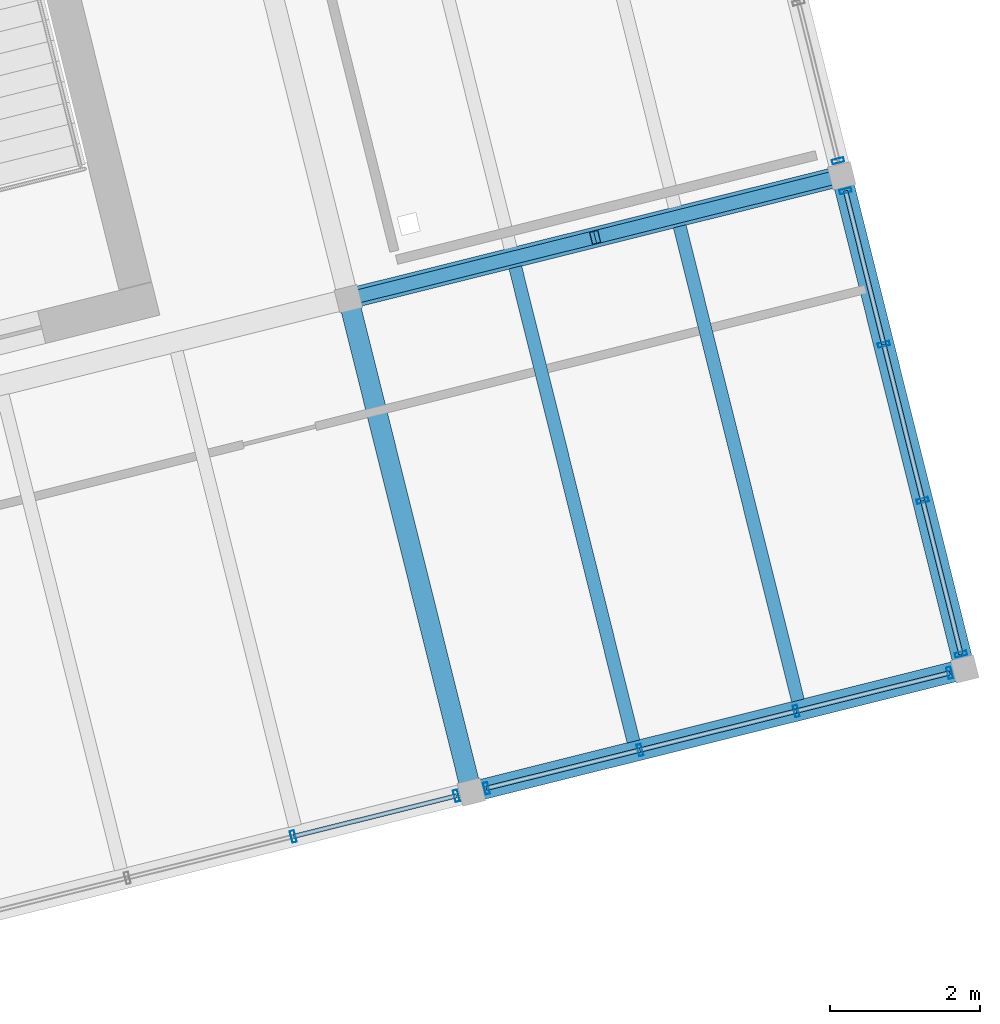
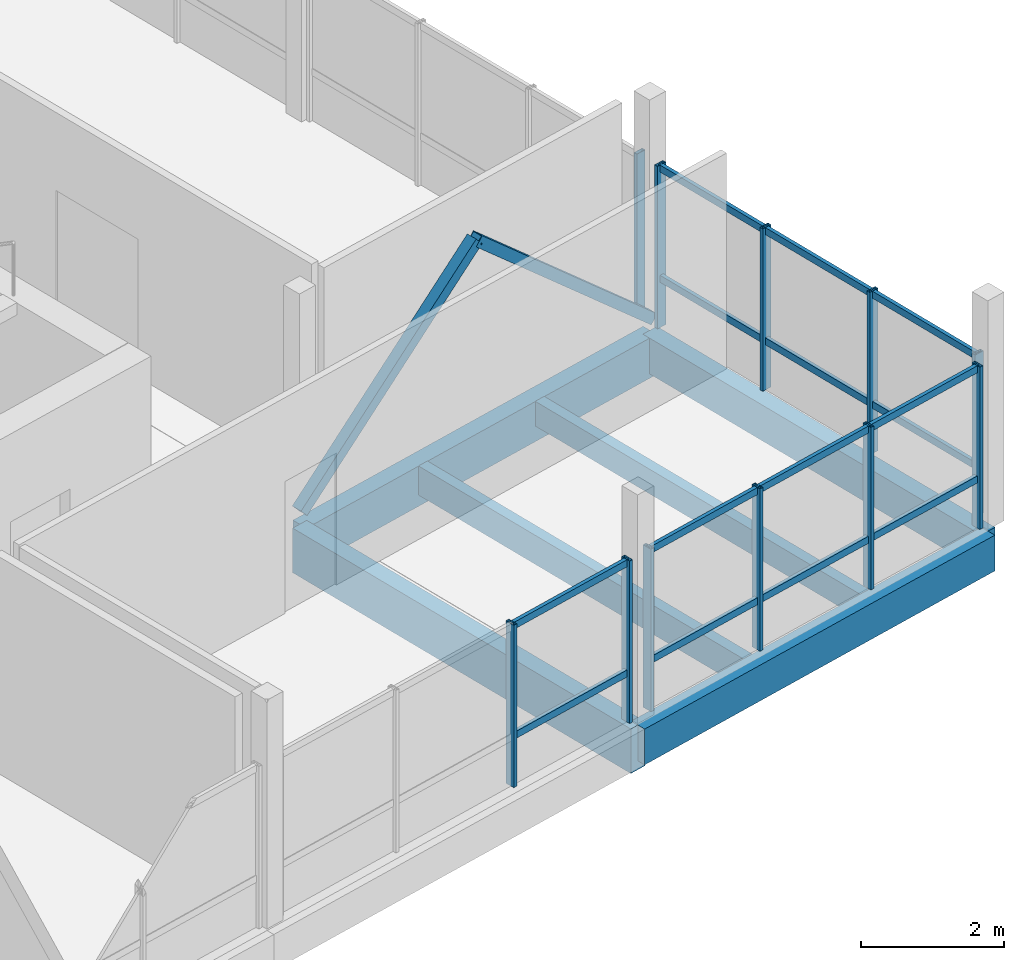
# One storey, part 16 of 25: 27 members, 6 beams, 4 elements without a shape of their own.
"""IFC4 building model written with IfcOpenShell, lengths in metres."""

from ifc_helpers import new_model, si_unit, direction, frame, origin, origin_2d, place, context, subcontext, project, spatial, rectangle, hollow_rectangle, extrude, material, layer, layer_set, material_profile, profile_set, type_object, element, aggregate, save


model = new_model("IFC4")

# Units and contexts
model_context = context("Model", 3, precision=1e-05, world=origin(), true_north=direction((0.0, 1.0)))
body_context = subcontext(model_context, "Body", "Model", "MODEL_VIEW")
ifc_project = project(units=[si_unit("LENGTHUNIT", "METRE"), si_unit("AREAUNIT", "SQUARE_METRE"), si_unit("VOLUMEUNIT", "CUBIC_METRE"), si_unit("PLANEANGLEUNIT", "RADIAN"), si_unit("MASSUNIT", "GRAM", prefix="KILO")], contexts=[model_context])

# Site, building, storey
site_placement = place(None, origin())
site = spatial("IfcSite", under=ifc_project, at=site_placement, CompositionType="ELEMENT")
building_placement = place(site_placement, origin())
building = spatial("IfcBuilding", under=site, at=building_placement, Name="Meriwether Solvik Hall", CompositionType="ELEMENT")
storey_placement = place(building_placement, frame((0.0, 0.0, 53.39990234375)))
storey = spatial("IfcBuildingStorey", under=building, at=storey_placement, Name="L13", CompositionType="ELEMENT", Elevation=53.39990234375)

# Beams
ifc_material_1 = material(Name="Glulam Douglas-Fir 24F-V8 GL28h", Category="wood")
ifc_material_profile_1 = material_profile(ifc_material_1, rectangle(XDim=0.27294921875, YDim=0.610107421875, at=origin_2d()), Name="GLB-273X610")
ifc_profile_set_1 = profile_set([ifc_material_profile_1], Name="Glulam Douglas-Fir 24F-V8 GL28h")
beam_type_1 = type_object("IfcBeamType", Name="BM-GL-273X610", PredefinedType="SPANDREL", material=ifc_profile_set_1)
for number, where, z_axis, x_axis, name in (
    (1, (96.9326171875, 48.26416015625, -0.48486328125), (0.970298579828, 0.24191045034, 0.0), (-0.24191045034, 0.970298579828, 0.0), "Tower Girder TA:T5-T6 (L13)"),
    (2, (103.53076171875, 49.9091796875, -0.48486328125), (-0.2419526798, 0.970288050394, 0.0), (-0.970288050394, -0.2419526798, 0.0), "Tower Girder T6:TA-TB (L13)"),
):
    element("IfcBeam", number, at=place(storey_placement, frame(where, z_axis=z_axis, x_axis=x_axis)), inside=storey, type_object=beam_type_1, Name=name, PredefinedType="SPANDREL", context=body_context, shape_type="SweptSolid", body=[
        extrude(rectangle(XDim=0.27294921875, YDim=0.610107421875, at=origin_2d()), origin(), (0.0, 0.0, 1.0), 6.800048828125),
    ])
ifc_material_2 = material(Name="Glulam Douglas-Fir 24F-V8 GL28h", Category="wood")
ifc_material_profile_2 = material_profile(ifc_material_2, rectangle(XDim=0.27294921875, YDim=0.68505859375, at=origin_2d()), Name="GLB-273X685")
ifc_profile_set_2 = profile_set([ifc_material_profile_2], Name="Glulam Douglas-Fir 24F-V8 GL28h")
beam_type_2 = type_object("IfcBeamType", Name="BM-GL-273X685", PredefinedType="BEAM", material=ifc_profile_set_2)
beam_1_placement = place(storey_placement, frame((95.28759765625, 54.862060546875, -0.5224609375), z_axis=(0.970296478685, 0.241918877831, 0.0), x_axis=(-0.241918877831, 0.970296478685, 0.0)))
element("IfcBeam", 3, at=beam_1_placement, inside=storey, type_object=beam_type_2, Name="Tower Girder TB:T5-T6 (L13)", PredefinedType="BEAM", context=body_context, shape_type="SweptSolid", body=[
    extrude(rectangle(XDim=0.27294921875, YDim=0.68505859375, at=origin_2d()), origin(), (0.0, 0.0, 1.0), 6.7998046875),
])
ifc_material_3 = material(Name="Glulam Douglas-Fir 24F-V8 GL28h", Category="wood")
ifc_material_profile_3 = material_profile(ifc_material_3, rectangle(XDim=0.27294921875, YDim=0.760009765625, at=origin_2d()), Name="GLB-273X760")
ifc_profile_set_3 = profile_set([ifc_material_profile_3], Name="Glulam Douglas-Fir 24F-V8 GL28h")
beam_type_3 = type_object("IfcBeamType", Name="BM-GL-273X760", PredefinedType="BEAM", material=ifc_profile_set_3)
beam_2_placement = place(storey_placement, frame((96.9326171875, 48.26416015625, -0.559814453125), z_axis=(-0.241918877831, 0.970296478685, 0.0), x_axis=(-0.970296478685, -0.241918877831, 0.0)))
element("IfcBeam", 4, at=beam_2_placement, inside=storey, type_object=beam_type_3, Name="Tower Girder T5:TA-TB (L13)", PredefinedType="BEAM", context=body_context, shape_type="SweptSolid", body=[
    extrude(rectangle(XDim=0.27294921875, YDim=0.760009765625, at=origin_2d()), origin(), (0.0, 0.0, 1.0), 6.7998046875),
])

# Curtain wall, members
ifc_material_4 = material(Name="Thermally Broken Anodised Aluminium 6063-T6 and Low-E Glass", Category="aluminium")
ifc_layer_1 = layer(ifc_material_4, 0.179931640625)
ifc_layer_set_1 = layer_set([ifc_layer_1], Name="Thermally Broken Anodised Aluminium 6063-T6 and Low-E Glass")
curtain_wall_type_1 = type_object("IfcCurtainWallType", Name="CW-UNIT-G", PredefinedType="USERDEFINED", material=ifc_layer_set_1)
curtain_wall_1_placement = place(storey_placement, origin())
curtain_wall_1 = element("IfcCurtainWall", 5, at=curtain_wall_1_placement, inside=storey, type_object=curtain_wall_type_1, Name="Curtain Wall E0_B3 (L13)", ObjectType="UNITISED CURTAIN WALL", PredefinedType="USERDEFINED")
ifc_material_5 = material(Name="Anodised Aluminium 6063-T6", Category="aluminium")
ifc_material_profile_4 = material_profile(ifc_material_5, hollow_rectangle(XDim=0.06005859375, YDim=0.159912109375, WallThickness=0.00390625, at=origin_2d()), Name="CWM-60X160")
ifc_profile_set_4 = profile_set([ifc_material_profile_4], Name="Anodised Aluminium 6063-T6")
member_type_1 = type_object("IfcMemberType", Name="CW-MUL-60X160", PredefinedType="MULLION", material=ifc_profile_set_4)
member_1_placement = place(storey_placement, frame((96.731201171875, 48.2138671875, 0.0), z_axis=(0.0, 0.0, 1.0), x_axis=(-0.970295696551, -0.241922014821, 0.0)))
member_1 = element("IfcMember", 6, at=member_1_placement, type_object=member_type_1, Name="Curtain Wall Mullion 1", PredefinedType="MULLION", context=body_context, shape_type="SweptSolid", body=[
    extrude(hollow_rectangle(XDim=0.06005859375, YDim=0.159912109375, WallThickness=0.00390625, at=origin_2d()), origin(), (0.0, 0.0, 1.0), 2.77001953125),
])
member_2_placement = place(storey_placement, frame((94.549072265625, 47.669921875, 0.0), z_axis=(0.0, 0.0, 1.0), x_axis=(-0.970295696551, -0.241922014821, 0.0)))
member_2 = element("IfcMember", 7, at=member_2_placement, type_object=member_type_1, Name="Curtain Wall Mullion 2", PredefinedType="MULLION", context=body_context, shape_type="SweptSolid", body=[
    extrude(hollow_rectangle(XDim=0.06005859375, YDim=0.159912109375, WallThickness=0.00390625, at=origin_2d()), origin(), (0.0, 0.0, 1.0), 2.77001953125),
])

ifc_material_6 = material(Name="Thermally Broken Anodised Aluminium 6063-T6 and Low-E Glass", Category="aluminium")
ifc_layer_2 = layer(ifc_material_6, 0.179931640625)
ifc_layer_set_2 = layer_set([ifc_layer_2], Name="Thermally Broken Anodised Aluminium 6063-T6 and Low-E Glass")
curtain_wall_type_2 = type_object("IfcCurtainWallType", Name="CW-UNIT-A", PredefinedType="USERDEFINED", material=ifc_layer_set_2)
curtain_wall_2_placement = place(storey_placement, origin())
curtain_wall_2 = element("IfcCurtainWall", 8, at=curtain_wall_2_placement, inside=storey, type_object=curtain_wall_type_2, Name="Curtain Wall E0_B4 (L13)", ObjectType="UNITISED CURTAIN WALL", PredefinedType="USERDEFINED")
member_3_placement = place(storey_placement, frame((103.329345703125, 49.85888671875, 0.0), z_axis=(0.0, 0.0, 1.0), x_axis=(-0.970295742456, -0.241921830705, 0.0)))
member_3 = element("IfcMember", 9, at=member_3_placement, type_object=member_type_1, Name="Curtain Wall Mullion 1", PredefinedType="MULLION", context=body_context, shape_type="SweptSolid", body=[
    extrude(hollow_rectangle(XDim=0.06005859375, YDim=0.159912109375, WallThickness=0.00390625, at=origin_2d()), origin(), (0.0, 0.0, 1.0), 2.77001953125),
])
member_4_placement = place(storey_placement, frame((101.276611328125, 49.34716796875, 0.0), z_axis=(0.0, 0.0, 1.0), x_axis=(-0.970295742456, -0.241921830705, 0.0)))
member_4 = element("IfcMember", 10, at=member_4_placement, type_object=member_type_1, Name="Curtain Wall Mullion 2", PredefinedType="MULLION", context=body_context, shape_type="SweptSolid", body=[
    extrude(hollow_rectangle(XDim=0.06005859375, YDim=0.159912109375, WallThickness=0.00390625, at=origin_2d()), origin(), (0.0, 0.0, 1.0), 2.77001953125),
])
member_5_placement = place(storey_placement, frame((99.186767578125, 48.826171875, 0.0), z_axis=(0.0, 0.0, 1.0), x_axis=(-0.970295742456, -0.241921830705, 0.0)))
member_5 = element("IfcMember", 11, at=member_5_placement, type_object=member_type_1, Name="Curtain Wall Mullion 3", PredefinedType="MULLION", context=body_context, shape_type="SweptSolid", body=[
    extrude(hollow_rectangle(XDim=0.06005859375, YDim=0.159912109375, WallThickness=0.00390625, at=origin_2d()), origin(), (0.0, 0.0, 1.0), 2.77001953125),
])
member_6_placement = place(storey_placement, frame((97.134033203125, 48.314208984375, 0.0), z_axis=(0.0, 0.0, 1.0), x_axis=(-0.970295742456, -0.241921830705, 0.0)))
member_6 = element("IfcMember", 12, at=member_6_placement, type_object=member_type_1, Name="Curtain Wall Mullion 4", PredefinedType="MULLION", context=body_context, shape_type="SweptSolid", body=[
    extrude(hollow_rectangle(XDim=0.06005859375, YDim=0.159912109375, WallThickness=0.00390625, at=origin_2d()), origin(), (0.0, 0.0, 1.0), 2.77001953125),
])

ifc_material_7 = material(Name="Thermally Broken Anodised Aluminium 6063-T6 and Low-E Glass", Category="aluminium")
ifc_layer_3 = layer(ifc_material_7, 0.179931640625)
ifc_layer_set_3 = layer_set([ifc_layer_3], Name="Thermally Broken Anodised Aluminium 6063-T6 and Low-E Glass")
curtain_wall_type_3 = type_object("IfcCurtainWallType", Name="CW-UNIT-E", PredefinedType="USERDEFINED", material=ifc_layer_set_3)
curtain_wall_3_placement = place(storey_placement, origin())
curtain_wall_3 = element("IfcCurtainWall", 13, at=curtain_wall_3_placement, inside=storey, type_object=curtain_wall_type_3, Name="Curtain Wall E1_B0 (L13)", ObjectType="UNITISED CURTAIN WALL", PredefinedType="USERDEFINED")
member_7_placement = place(storey_placement, frame((101.935791015625, 56.305908203125, 0.0), z_axis=(0.0, 0.0, 1.0), x_axis=(0.241921830705, -0.970295742456, 0.0)))
member_7 = element("IfcMember", 14, at=member_7_placement, type_object=member_type_1, Name="Curtain Wall Mullion 1", PredefinedType="MULLION", context=body_context, shape_type="SweptSolid", body=[
    extrude(hollow_rectangle(XDim=0.06005859375, YDim=0.159912109375, WallThickness=0.00390625, at=origin_2d()), origin(), (0.0, 0.0, 1.0), 2.77001953125),
])
member_8_placement = place(storey_placement, frame((102.447509765625, 54.2529296875, 0.0), z_axis=(0.0, 0.0, 1.0), x_axis=(0.241921830705, -0.970295742456, 0.0)))
member_8 = element("IfcMember", 15, at=member_8_placement, type_object=member_type_1, Name="Curtain Wall Mullion 2", PredefinedType="MULLION", context=body_context, shape_type="SweptSolid", body=[
    extrude(hollow_rectangle(XDim=0.06005859375, YDim=0.159912109375, WallThickness=0.00390625, at=origin_2d()), origin(), (0.0, 0.0, 1.0), 2.77001953125),
])
member_9_placement = place(storey_placement, frame((102.968505859375, 52.163330078125, 0.0), z_axis=(0.0, 0.0, 1.0), x_axis=(0.241921830705, -0.970295742456, 0.0)))
member_9 = element("IfcMember", 16, at=member_9_placement, type_object=member_type_1, Name="Curtain Wall Mullion 3", PredefinedType="MULLION", context=body_context, shape_type="SweptSolid", body=[
    extrude(hollow_rectangle(XDim=0.06005859375, YDim=0.159912109375, WallThickness=0.00390625, at=origin_2d()), origin(), (0.0, 0.0, 1.0), 2.77001953125),
])
member_10_placement = place(storey_placement, frame((103.48046875, 50.110595703125, 0.0), z_axis=(0.0, 0.0, 1.0), x_axis=(0.241921830705, -0.970295742456, 0.0)))
member_10 = element("IfcMember", 17, at=member_10_placement, type_object=member_type_1, Name="Curtain Wall Mullion 4", PredefinedType="MULLION", context=body_context, shape_type="SweptSolid", body=[
    extrude(hollow_rectangle(XDim=0.06005859375, YDim=0.159912109375, WallThickness=0.00390625, at=origin_2d()), origin(), (0.0, 0.0, 1.0), 2.77001953125),
])

# Curtain wall, member
ifc_material_8 = material(Name="Thermally Broken Anodised Aluminium 6063-T6 and Low-E Glass", Category="aluminium")
ifc_layer_4 = layer(ifc_material_8, 0.179931640625)
ifc_layer_set_4 = layer_set([ifc_layer_4], Name="Thermally Broken Anodised Aluminium 6063-T6 and Low-E Glass")
curtain_wall_type_4 = type_object("IfcCurtainWallType", Name="CW-UNIT-F", PredefinedType="USERDEFINED", material=ifc_layer_set_4)
curtain_wall_4_placement = place(storey_placement, origin())
curtain_wall_4 = element("IfcCurtainWall", 18, at=curtain_wall_4_placement, inside=storey, type_object=curtain_wall_type_4, Name="Curtain Wall E1_B1 (L13)", ObjectType="UNITISED CURTAIN WALL", PredefinedType="USERDEFINED")
member_11_placement = place(storey_placement, frame((101.83544921875, 56.70849609375, 0.0), z_axis=(0.0, 0.0, 1.0), x_axis=(0.241921784185, -0.970295754055, 0.0)))
member_11 = element("IfcMember", 19, at=member_11_placement, type_object=member_type_1, Name="Curtain Wall Mullion 4", PredefinedType="MULLION", context=body_context, shape_type="SweptSolid", body=[
    extrude(hollow_rectangle(XDim=0.06005859375, YDim=0.159912109375, WallThickness=0.00390625, at=origin_2d()), origin(), (0.0, 0.0, 1.0), 2.77001953125),
])
aggregate(curtain_wall_4, [member_11])

# Member
ifc_material_9 = material(Name="Anodised Aluminium 6063-T6", Category="aluminium")
ifc_material_profile_5 = material_profile(ifc_material_9, hollow_rectangle(XDim=0.06005859375, YDim=0.1201171875, WallThickness=0.00390625, at=origin_2d()), Name="CWT-60X120")
ifc_profile_set_5 = profile_set([ifc_material_profile_5], Name="Anodised Aluminium 6063-T6")
member_type_2 = type_object("IfcMemberType", Name="CW-TRN-60X120", PredefinedType="USERDEFINED", material=ifc_profile_set_5)
member_12_placement = place(storey_placement, frame((96.731201171875, 48.2138671875, 0.8310546875), z_axis=(-0.970308305597, -0.241871437108, 0.0), x_axis=(0.241871437108, -0.970308305597, 0.0)))
member_12 = element("IfcMember", 20, at=member_12_placement, type_object=member_type_2, Name="Curtain Wall Transom 1-sill", ObjectType="TRANSOM", PredefinedType="USERDEFINED", context=body_context, shape_type="SweptSolid", body=[
    extrude(hollow_rectangle(XDim=0.06005859375, YDim=0.1201171875, WallThickness=0.00390625, at=origin_2d()), origin(), (0.0, 0.0, 1.0), 2.2490234375),
])

member_13_placement = place(storey_placement, frame((96.731201171875, 48.2138671875, 2.710205078125), z_axis=(-0.970308305597, -0.241871437108, 0.0), x_axis=(0.241871437108, -0.970308305597, 0.0)))
member_13 = element("IfcMember", 21, at=member_13_placement, type_object=member_type_2, Name="Curtain Wall Transom 1-head", ObjectType="TRANSOM", PredefinedType="USERDEFINED", context=body_context, shape_type="SweptSolid", body=[
    extrude(hollow_rectangle(XDim=0.06005859375, YDim=0.1201171875, WallThickness=0.00390625, at=origin_2d()), origin(), (0.0, 0.0, 1.0), 2.2490234375),
])

aggregate(curtain_wall_1, [member_1, member_2, member_12, member_13])

member_14_placement = place(storey_placement, frame((103.329345703125, 49.85888671875, 0.8310546875), z_axis=(-0.970305202605, -0.24188388495, 0.0), x_axis=(0.24188388495, -0.970305202605, 0.0)))
member_14 = element("IfcMember", 22, at=member_14_placement, type_object=member_type_2, Name="Curtain Wall Transom 1-sill", ObjectType="TRANSOM", PredefinedType="USERDEFINED", context=body_context, shape_type="SweptSolid", body=[
    extrude(hollow_rectangle(XDim=0.06005859375, YDim=0.1201171875, WallThickness=0.00390625, at=origin_2d()), origin(), (0.0, 0.0, 1.0), 2.115478515625),
])

member_15_placement = place(storey_placement, frame((103.329345703125, 49.85888671875, 2.710205078125), z_axis=(-0.970305202605, -0.24188388495, 0.0), x_axis=(0.24188388495, -0.970305202605, 0.0)))
member_15 = element("IfcMember", 23, at=member_15_placement, type_object=member_type_2, Name="Curtain Wall Transom 1-head", ObjectType="TRANSOM", PredefinedType="USERDEFINED", context=body_context, shape_type="SweptSolid", body=[
    extrude(hollow_rectangle(XDim=0.06005859375, YDim=0.1201171875, WallThickness=0.00390625, at=origin_2d()), origin(), (0.0, 0.0, 1.0), 2.115478515625),
])

member_16_placement = place(storey_placement, frame((101.276611328125, 49.34716796875, 0.8310546875), z_axis=(-0.970302316838, -0.241895460763, 0.0), x_axis=(0.241895460763, -0.970302316838, 0.0)))
member_16 = element("IfcMember", 24, at=member_16_placement, type_object=member_type_2, Name="Curtain Wall Transom 2-sill", ObjectType="TRANSOM", PredefinedType="USERDEFINED", context=body_context, shape_type="SweptSolid", body=[
    extrude(hollow_rectangle(XDim=0.06005859375, YDim=0.1201171875, WallThickness=0.00390625, at=origin_2d()), origin(), (0.0, 0.0, 1.0), 2.15380859375),
])

member_17_placement = place(storey_placement, frame((101.276611328125, 49.34716796875, 2.710205078125), z_axis=(-0.970302316838, -0.241895460763, 0.0), x_axis=(0.241895460763, -0.970302316838, 0.0)))
member_17 = element("IfcMember", 25, at=member_17_placement, type_object=member_type_2, Name="Curtain Wall Transom 2-head", ObjectType="TRANSOM", PredefinedType="USERDEFINED", context=body_context, shape_type="SweptSolid", body=[
    extrude(hollow_rectangle(XDim=0.06005859375, YDim=0.1201171875, WallThickness=0.00390625, at=origin_2d()), origin(), (0.0, 0.0, 1.0), 2.15380859375),
])

member_18_placement = place(storey_placement, frame((99.186767578125, 48.826171875, 0.8310546875), z_axis=(-0.970278112146, -0.241992531062, 0.0), x_axis=(0.241992531062, -0.970278112146, 0.0)))
member_18 = element("IfcMember", 26, at=member_18_placement, type_object=member_type_2, Name="Curtain Wall Transom 3-sill", ObjectType="TRANSOM", PredefinedType="USERDEFINED", context=body_context, shape_type="SweptSolid", body=[
    extrude(hollow_rectangle(XDim=0.06005859375, YDim=0.1201171875, WallThickness=0.00390625, at=origin_2d()), origin(), (0.0, 0.0, 1.0), 2.11572265625),
])

member_19_placement = place(storey_placement, frame((99.186767578125, 48.826171875, 2.710205078125), z_axis=(-0.970278112146, -0.241992531062, 0.0), x_axis=(0.241992531062, -0.970278112146, 0.0)))
member_19 = element("IfcMember", 27, at=member_19_placement, type_object=member_type_2, Name="Curtain Wall Transom 3-head", ObjectType="TRANSOM", PredefinedType="USERDEFINED", context=body_context, shape_type="SweptSolid", body=[
    extrude(hollow_rectangle(XDim=0.06005859375, YDim=0.1201171875, WallThickness=0.00390625, at=origin_2d()), origin(), (0.0, 0.0, 1.0), 2.11572265625),
])

aggregate(curtain_wall_2, [member_3, member_4, member_5, member_6, member_14, member_15, member_16, member_17, member_18, member_19])

member_20_placement = place(storey_placement, frame((101.935791015625, 56.305908203125, 0.8310546875), z_axis=(0.241856802757, -0.970311953425, 0.0), x_axis=(0.970311953425, 0.241856802757, 0.0)))
member_20 = element("IfcMember", 28, at=member_20_placement, type_object=member_type_2, Name="Curtain Wall Transom 1-sill", ObjectType="TRANSOM", PredefinedType="USERDEFINED", context=body_context, shape_type="SweptSolid", body=[
    extrude(hollow_rectangle(XDim=0.06005859375, YDim=0.1201171875, WallThickness=0.00390625, at=origin_2d()), origin(), (0.0, 0.0, 1.0), 2.11572265625),
])

member_21_placement = place(storey_placement, frame((101.935791015625, 56.305908203125, 2.710205078125), z_axis=(0.241856802757, -0.970311953425, 0.0), x_axis=(0.970311953425, 0.241856802757, 0.0)))
member_21 = element("IfcMember", 29, at=member_21_placement, type_object=member_type_2, Name="Curtain Wall Transom 1-head", ObjectType="TRANSOM", PredefinedType="USERDEFINED", context=body_context, shape_type="SweptSolid", body=[
    extrude(hollow_rectangle(XDim=0.06005859375, YDim=0.1201171875, WallThickness=0.00390625, at=origin_2d()), origin(), (0.0, 0.0, 1.0), 2.11572265625),
])

member_22_placement = place(storey_placement, frame((102.447509765625, 54.2529296875, 0.8310546875), z_axis=(0.241922068895, -0.970295683069, 0.0), x_axis=(0.970295683069, 0.241922068895, 0.0)))
member_22 = element("IfcMember", 30, at=member_22_placement, type_object=member_type_2, Name="Curtain Wall Transom 2-sill", ObjectType="TRANSOM", PredefinedType="USERDEFINED", context=body_context, shape_type="SweptSolid", body=[
    extrude(hollow_rectangle(XDim=0.06005859375, YDim=0.1201171875, WallThickness=0.00390625, at=origin_2d()), origin(), (0.0, 0.0, 1.0), 2.153564453125),
])

member_23_placement = place(storey_placement, frame((102.447509765625, 54.2529296875, 2.710205078125), z_axis=(0.241922068895, -0.970295683069, 0.0), x_axis=(0.970295683069, 0.241922068895, 0.0)))
member_23 = element("IfcMember", 31, at=member_23_placement, type_object=member_type_2, Name="Curtain Wall Transom 2-head", ObjectType="TRANSOM", PredefinedType="USERDEFINED", context=body_context, shape_type="SweptSolid", body=[
    extrude(hollow_rectangle(XDim=0.06005859375, YDim=0.1201171875, WallThickness=0.00390625, at=origin_2d()), origin(), (0.0, 0.0, 1.0), 2.153564453125),
])

member_24_placement = place(storey_placement, frame((102.968505859375, 52.163330078125, 0.8310546875), z_axis=(0.241992531062, -0.970278112146, 0.0), x_axis=(0.970278112146, 0.241992531062, 0.0)))
member_24 = element("IfcMember", 32, at=member_24_placement, type_object=member_type_2, Name="Curtain Wall Transom 3-sill", ObjectType="TRANSOM", PredefinedType="USERDEFINED", context=body_context, shape_type="SweptSolid", body=[
    extrude(hollow_rectangle(XDim=0.06005859375, YDim=0.1201171875, WallThickness=0.00390625, at=origin_2d()), origin(), (0.0, 0.0, 1.0), 2.11572265625),
])

member_25_placement = place(storey_placement, frame((102.968505859375, 52.163330078125, 2.710205078125), z_axis=(0.241992531062, -0.970278112146, 0.0), x_axis=(0.970278112146, 0.241992531062, 0.0)))
member_25 = element("IfcMember", 33, at=member_25_placement, type_object=member_type_2, Name="Curtain Wall Transom 3-head", ObjectType="TRANSOM", PredefinedType="USERDEFINED", context=body_context, shape_type="SweptSolid", body=[
    extrude(hollow_rectangle(XDim=0.06005859375, YDim=0.1201171875, WallThickness=0.00390625, at=origin_2d()), origin(), (0.0, 0.0, 1.0), 2.11572265625),
])

aggregate(curtain_wall_3, [member_7, member_8, member_9, member_10, member_20, member_21, member_22, member_23, member_24, member_25])

# Beams
ifc_material_10 = material(Name="Glulam Douglas-Fir 24F-V8 GL28h", Category="wood")
ifc_material_profile_6 = material_profile(ifc_material_10, rectangle(XDim=0.175048828125, YDim=0.419921875, at=origin_2d()), Name="GLJ-175X420")
ifc_profile_set_6 = profile_set([ifc_material_profile_6], Name="Glulam Douglas-Fir 24F-V8 GL28h")
beam_type_4 = type_object("IfcBeamType", Name="JST-GL-175X420", PredefinedType="JOIST", material=ifc_profile_set_6)
beam_3_placement = place(storey_placement, frame((101.299560546875, 49.488525390625, -0.389892578125), z_axis=(-0.241938016776, 0.970291706673, 0.0), x_axis=(-0.970291706673, -0.241938016776, 0.0)))
element("IfcBeam", 34, at=beam_3_placement, inside=storey, type_object=beam_type_4, Name="Glulam Floor Joist T5/TA-J2 (L13)", PredefinedType="JOIST", context=body_context, shape_type="SweptSolid", body=[
    extrude(rectangle(XDim=0.175048828125, YDim=0.419921875, at=origin_2d()), origin(), (0.0, 0.0, 1.0), 6.536865234375),
])
ifc_material_11 = material(Name="Glulam Douglas-Fir 24F-V8 GL28h", Category="wood")
ifc_material_profile_7 = material_profile(ifc_material_11, rectangle(XDim=0.175048828125, YDim=0.4951171875, at=origin_2d()), Name="GLJ-175X495")
ifc_profile_set_7 = profile_set([ifc_material_profile_7], Name="Glulam Douglas-Fir 24F-V8 GL28h")
beam_type_5 = type_object("IfcBeamType", Name="JST-GL-175X495", PredefinedType="JOIST", material=ifc_profile_set_7)
beam_4_placement = place(storey_placement, frame((99.10009765625, 48.940185546875, -0.427490234375), z_axis=(-0.241902854765, 0.970300473491, 0.0), x_axis=(-0.970300473491, -0.241902854765, 0.0)))
element("IfcBeam", 35, at=beam_4_placement, inside=storey, type_object=beam_type_5, Name="Glulam Floor Joist T5/TA-J1 (L13)", PredefinedType="JOIST", context=body_context, shape_type="SweptSolid", body=[
    extrude(rectangle(XDim=0.175048828125, YDim=0.4951171875, at=origin_2d()), origin(), (0.0, 0.0, 1.0), 6.536865234375),
])

# Members
ifc_material_12 = material(Name="Steel A500 Grade C", Category="steel")
ifc_material_profile_8 = material_profile(ifc_material_12, hollow_rectangle(XDim=0.177978515625, YDim=0.177978515625, WallThickness=0.009521484375, at=origin_2d()), Name="HSS178X178X9.5")
ifc_profile_set_8 = profile_set([ifc_material_profile_8], Name="Steel A500 Grade C")
member_type_3 = type_object("IfcMemberType", Name="MEM-BR-HSS178", PredefinedType="BRACE", material=ifc_profile_set_8)
for number, where, z_axis, x_axis, name in (
    (36, (95.28759765625, 54.862060546875, 0.050048828125), (0.729154353771, 0.181789463321, 0.659762471957), (-0.24191045034, 0.970298579828, 0.0), "Tower Chevron Brace L13-B3A"),
    (37, (101.885498046875, 56.507080078125, 0.050048828125), (-0.729129081227, -0.181796615945, 0.659788430741), (0.241927305891, -0.970294377323, 0.0), "Tower Chevron Brace L13-B3B"),
):
    element("IfcMember", number, at=place(storey_placement, frame(where, z_axis=z_axis, x_axis=x_axis)), inside=storey, type_object=member_type_3, Name=name, PredefinedType="BRACE", context=body_context, shape_type="SweptSolid", body=[
        extrude(hollow_rectangle(XDim=0.177978515625, YDim=0.177978515625, WallThickness=0.009521484375, at=origin_2d()), origin(), (0.0, 0.0, 1.0), 4.5244140625),
    ])

save(model, "model.ifc")
